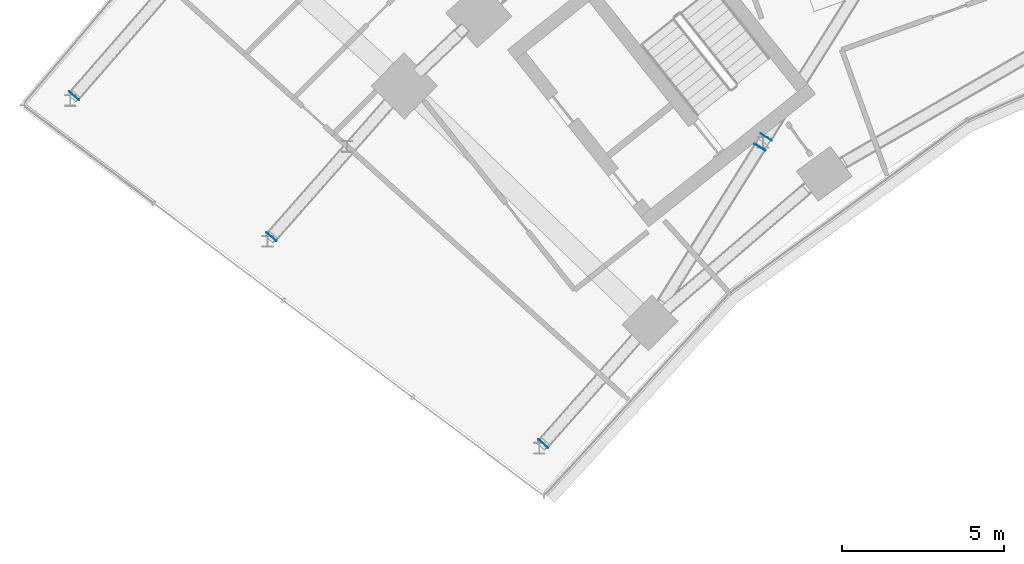
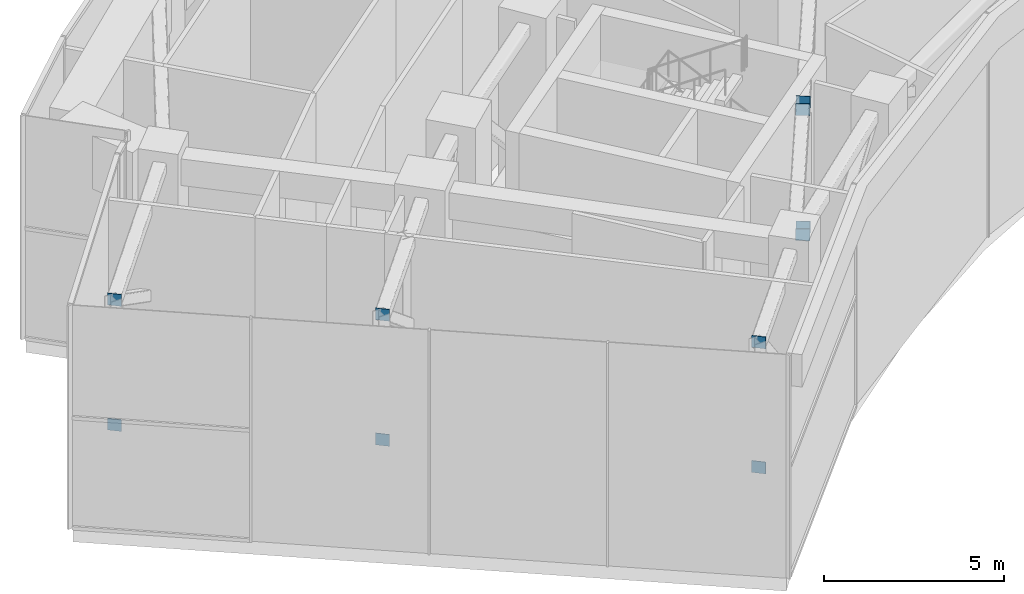
# One storey, part 20 of 30: 10 plates.
"""IFC4 building model written with IfcOpenShell, lengths in metres."""

from ifc_helpers import new_model, si_unit, direction, frame, origin, origin_2d, place, context, subcontext, project, spatial, rectangle, extrude, material, layer, layer_set, type_object, element, save


model = new_model("IFC4")

# Units and contexts
model_context = context("Model", 3, precision=1e-05, world=origin(), true_north=direction((0.0, 1.0)))
body_context = subcontext(model_context, "Body", "Model", "MODEL_VIEW")
ifc_project = project(units=[si_unit("LENGTHUNIT", "METRE"), si_unit("AREAUNIT", "SQUARE_METRE"), si_unit("VOLUMEUNIT", "CUBIC_METRE"), si_unit("PLANEANGLEUNIT", "RADIAN"), si_unit("MASSUNIT", "GRAM", prefix="KILO")], contexts=[model_context])

# Site, building, storey
site_placement = place(None, origin())
site = spatial("IfcSite", under=ifc_project, at=site_placement, CompositionType="ELEMENT")
building_placement = place(site_placement, origin())
building = spatial("IfcBuilding", under=site, at=building_placement, Name="Stone Belt Terrace Tower", CompositionType="ELEMENT")
storey_placement = place(building_placement, frame((0.0, 0.0, 136.39990234375)))
storey = spatial("IfcBuildingStorey", under=building, at=storey_placement, Name="L33", CompositionType="ELEMENT", Elevation=136.39990234375)

# Plates
ifc_material = material(Name="Structural steel C345", Category="steel")
ifc_layer = layer(ifc_material, 0.02001953125)
ifc_layer_set = layer_set([ifc_layer], Name="Chord end plate 20")
plate_type = type_object("IfcPlateType", Name="Chord end plate 20", PredefinedType="SHEET", material=ifc_layer_set)
for number, where, z_axis, x_axis, name in (
    (1, (-34.8115234375, 27.615234375, 6.85009765625), (0.0, 0.0, 1.0), (-0.662877522386, -0.748727847963, 0.0), "Chord end plate"),
    (2, (-34.8115234375, 27.615234375, 2.60009765625), (0.0, 0.0, 1.0), (-0.662877522386, -0.748727847963, 0.0), "Chord end plate"),
    (3, (-43.21142578125, 34.00927734375, 6.85009765625), (0.0, 0.0, 1.0), (-0.660598057275, -0.750739772973, 0.0), "Chord end plate"),
    (4, (-43.21142578125, 34.00927734375, 2.60009765625), (0.0, 0.0, 1.0), (-0.660598057275, -0.750739772973, 0.0), "Chord end plate"),
    (5, (-49.311279296875, 38.36572265625, 6.85009765625), (0.0, 0.0, 1.0), (-0.656695011474, -0.754156258281, 0.0), "Chord end plate"),
    (6, (-49.311279296875, 38.36572265625, 2.60009765625), (0.0, 0.0, 1.0), (-0.656695011474, -0.754156258281, 0.0), "Chord end plate"),
    (7, (-28.113525390625, 36.776611328125, 6.85009765625), (0.0, 0.0, 1.0), (0.53006430855, 0.84795744516, 0.0), "Chord end plate"),
    (8, (-28.113525390625, 36.776611328125, 2.60009765625), (0.0, 0.0, 1.0), (0.53006430855, 0.84795744516, 0.0), "Chord end plate"),
    (9, (-27.91748046875, 37.09033203125, 6.85009765625), (0.0, 0.0, 1.0), (-0.53006430855, -0.84795744516, 0.0), "Chord end plate"),
    (10, (-27.91748046875, 37.09033203125, 2.60009765625), (0.0, 0.0, 1.0), (-0.53006430855, -0.84795744516, 0.0), "Chord end plate"),
):
    element("IfcPlate", number, at=place(storey_placement, frame(where, z_axis=z_axis, x_axis=x_axis)), inside=storey, type_object=plate_type, Name=name, PredefinedType="SHEET", context=body_context, shape_type="SweptSolid", body=[
        extrude(rectangle(XDim=0.02001953125, YDim=0.39990234375, at=origin_2d()), origin(), (0.0, 0.0, 1.0), 0.39990234375),
    ])

save(model, "model.ifc")
